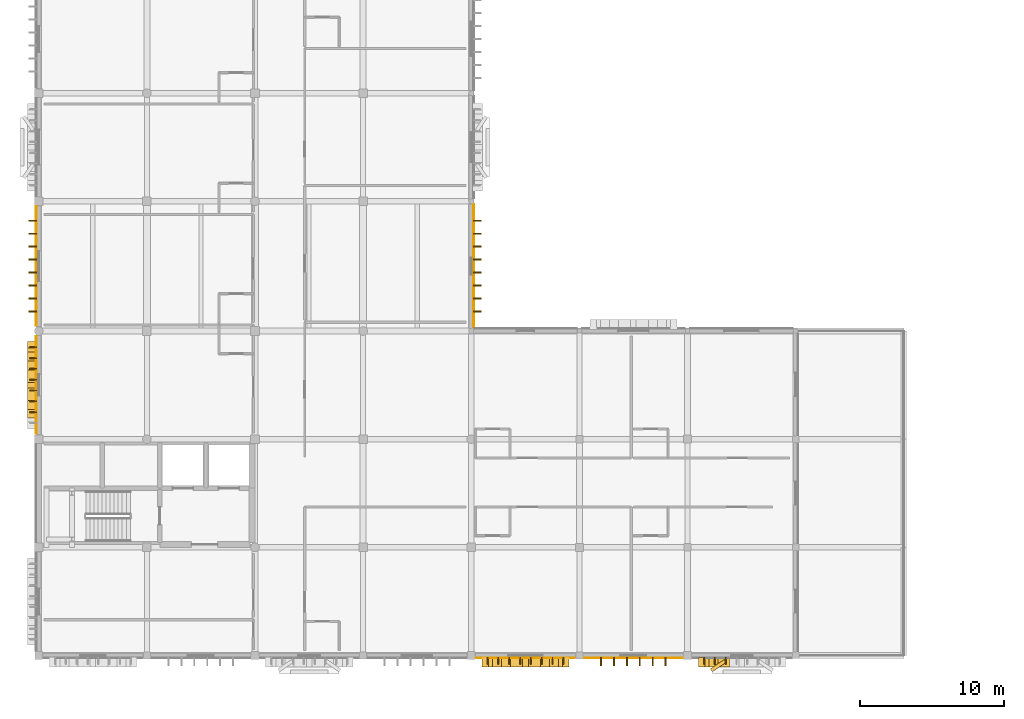
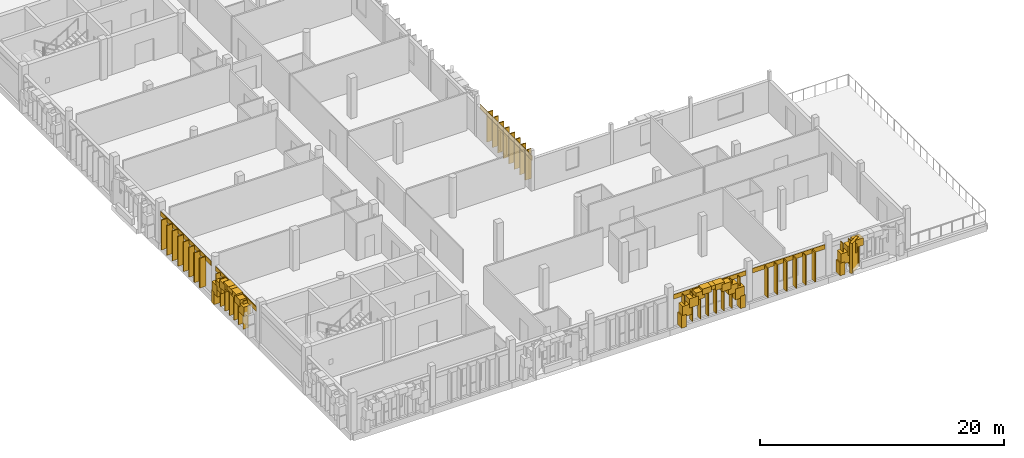
# One storey, part 23 of 33: 52 coverings, 18 shading devices.
"""IFC4 building model written with IfcOpenShell, lengths in metres."""

from ifc_helpers import new_model, si_unit, direction, frame, origin, origin_2d, place, context, subcontext, project, spatial, rectangle, extrude, material, layer, layer_set, type_object, element, save


model = new_model("IFC4")

# Units and contexts
model_context = context("Model", 3, precision=1e-05, world=origin(), true_north=direction((0.0, 1.0)))
body_context = subcontext(model_context, "Body", "Model", "MODEL_VIEW")
ifc_project = project(units=[si_unit("LENGTHUNIT", "METRE"), si_unit("AREAUNIT", "SQUARE_METRE"), si_unit("VOLUMEUNIT", "CUBIC_METRE"), si_unit("PLANEANGLEUNIT", "RADIAN"), si_unit("MASSUNIT", "GRAM", prefix="KILO")], contexts=[model_context])

# Site, building, storey
site_placement = place(None, origin())
site = spatial("IfcSite", under=ifc_project, at=site_placement, CompositionType="ELEMENT")
building_placement = place(site_placement, origin())
building = spatial("IfcBuilding", under=site, at=building_placement, Name="Dalvernix Boulevard General Hospital", CompositionType="ELEMENT")
storey_placement = place(building_placement, frame((0.0, 0.0, 21.89990234375)))
storey = spatial("IfcBuildingStorey", under=building, at=storey_placement, Name="L05", CompositionType="ELEMENT", Elevation=21.89990234375)

# Coverings
ifc_material_1 = material(Name="Pressed Catalan clay brick and dressed limestone parabolic archivolt", Category="masonry")
ifc_layer_1 = layer(ifc_material_1, 0.419921875)
ifc_layer_set_1 = layer_set([ifc_layer_1], Name="Pressed Catalan clay brick and dressed limestone parabolic archivolt (COV-ARC-01)")
covering_type_1 = type_object("IfcCoveringType", Name="COV-ARC-01", PredefinedType="CLADDING", material=ifc_layer_set_1)
covering_1_placement = place(storey_placement, frame((-0.4599609375, 21.550048828125, 0.0), z_axis=(0.0, 0.0, 1.0), x_axis=(0.0, 1.0, 0.0)))
element("IfcCovering", 1, at=covering_1_placement, inside=storey, type_object=covering_type_1, Name="L05 Catalan parabolic arch impost pier W 0-2-R", PredefinedType="CLADDING", context=body_context, shape_type="SweptSolid", body=[
    extrude(rectangle(XDim=0.4599609375, YDim=0.659912109375, at=origin_2d()), origin(), (0.0, 0.0, 1.0), 1.25),
])
covering_2_placement = place(storey_placement, frame((-0.4599609375, 16.88330078125, 1.77099609375), z_axis=(0.0, 0.0, 1.0), x_axis=(0.0, 1.0, 0.0)))
element("IfcCovering", 2, at=covering_2_placement, inside=storey, type_object=covering_type_1, Name="L05 Catalan parabolic archivolt voussoir W 0-2-2", PredefinedType="CLADDING", context=body_context, shape_type="SweptSolid", body=[
    extrude(rectangle(XDim=0.8623046875, YDim=0.659912109375, at=origin_2d()), origin(), (0.0, 0.0, 1.0), 0.913330078125),
])
covering_3_placement = place(storey_placement, frame((-0.4599609375, 17.505615234375, 2.3046875), z_axis=(0.0, 0.0, 1.0), x_axis=(0.0, 1.0, 0.0)))
element("IfcCovering", 3, at=covering_3_placement, inside=storey, type_object=covering_type_1, Name="L05 Catalan parabolic archivolt voussoir W 0-2-3", PredefinedType="CLADDING", context=body_context, shape_type="SweptSolid", body=[
    extrude(rectangle(XDim=0.8623046875, YDim=0.659912109375, at=origin_2d()), origin(), (0.0, 0.0, 1.0), 0.735595703125),
])
covering_4_placement = place(storey_placement, frame((-0.4599609375, 18.127685546875, 2.66015625), z_axis=(0.0, 0.0, 1.0), x_axis=(0.0, 1.0, 0.0)))
element("IfcCovering", 4, at=covering_4_placement, inside=storey, type_object=covering_type_1, Name="L05 Catalan parabolic archivolt voussoir W 0-2-4", PredefinedType="CLADDING", context=body_context, shape_type="SweptSolid", body=[
    extrude(rectangle(XDim=0.8623046875, YDim=0.659912109375, at=origin_2d()), origin(), (0.0, 0.0, 1.0), 0.557861328125),
])
covering_5_placement = place(storey_placement, frame((-0.4599609375, 18.75, 2.837890625), z_axis=(0.0, 0.0, 1.0), x_axis=(0.0, 1.0, 0.0)))
element("IfcCovering", 5, at=covering_5_placement, inside=storey, type_object=covering_type_1, Name="L05 Catalan parabolic archivolt voussoir W 0-2-5", PredefinedType="CLADDING", context=body_context, shape_type="SweptSolid", body=[
    extrude(rectangle(XDim=0.8623046875, YDim=0.659912109375, at=origin_2d()), origin(), (0.0, 0.0, 1.0), 0.3798828125),
])
covering_6_placement = place(storey_placement, frame((-0.4599609375, 19.372314453125, 2.66015625), z_axis=(0.0, 0.0, 1.0), x_axis=(0.0, 1.0, 0.0)))
element("IfcCovering", 6, at=covering_6_placement, inside=storey, type_object=covering_type_1, Name="L05 Catalan parabolic archivolt voussoir W 0-2-6", PredefinedType="CLADDING", context=body_context, shape_type="SweptSolid", body=[
    extrude(rectangle(XDim=0.8623046875, YDim=0.659912109375, at=origin_2d()), origin(), (0.0, 0.0, 1.0), 0.557861328125),
])
covering_7_placement = place(storey_placement, frame((-0.4599609375, 19.994384765625, 2.3046875), z_axis=(0.0, 0.0, 1.0), x_axis=(0.0, 1.0, 0.0)))
element("IfcCovering", 7, at=covering_7_placement, inside=storey, type_object=covering_type_1, Name="L05 Catalan parabolic archivolt voussoir W 0-2-7", PredefinedType="CLADDING", context=body_context, shape_type="SweptSolid", body=[
    extrude(rectangle(XDim=0.8623046875, YDim=0.659912109375, at=origin_2d()), origin(), (0.0, 0.0, 1.0), 0.735595703125),
])
covering_8_placement = place(storey_placement, frame((-0.4599609375, 20.61669921875, 1.77099609375), z_axis=(0.0, 0.0, 1.0), x_axis=(0.0, 1.0, 0.0)))
element("IfcCovering", 8, at=covering_8_placement, inside=storey, type_object=covering_type_1, Name="L05 Catalan parabolic archivolt voussoir W 0-2-8", PredefinedType="CLADDING", context=body_context, shape_type="SweptSolid", body=[
    extrude(rectangle(XDim=0.8623046875, YDim=0.659912109375, at=origin_2d()), origin(), (0.0, 0.0, 1.0), 0.913330078125),
])
covering_9_placement = place(storey_placement, frame((-0.4599609375, 21.239013671875, 1.06005859375), z_axis=(0.0, 0.0, 1.0), x_axis=(0.0, 1.0, 0.0)))
element("IfcCovering", 9, at=covering_9_placement, inside=storey, type_object=covering_type_1, Name="L05 Catalan parabolic archivolt voussoir W 0-2-9", PredefinedType="CLADDING", context=body_context, shape_type="SweptSolid", body=[
    extrude(rectangle(XDim=0.8623046875, YDim=0.659912109375, at=origin_2d()), origin(), (0.0, 0.0, 1.0), 1.091064453125),
])
for number, where, z_axis, x_axis, name in (
    (10, (36.5625, -0.4599609375, 0.0), (0.0, 0.0, 1.0), (-1.0, 0.0, 0.0), "L05 Catalan parabolic arch impost pier S 4-0-L"),
    (11, (30.96240234375, -0.4599609375, 0.0), (0.0, 0.0, 1.0), (-1.0, 0.0, 0.0), "L05 Catalan parabolic arch impost pier S 4-0-R"),
):
    element("IfcCovering", number, at=place(storey_placement, frame(where, z_axis=z_axis, x_axis=x_axis)), inside=storey, type_object=covering_type_1, Name=name, PredefinedType="CLADDING", context=body_context, shape_type="SweptSolid", body=[
        extrude(rectangle(XDim=0.4599609375, YDim=0.659912109375, at=origin_2d()), origin(), (0.0, 0.0, 1.0), 1.25),
    ])
covering_10_placement = place(storey_placement, frame((36.25146484375, -0.4599609375, 1.06005859375), z_axis=(0.0, 0.0, 1.0), x_axis=(-1.0, 0.0, 0.0)))
element("IfcCovering", 12, at=covering_10_placement, inside=storey, type_object=covering_type_1, Name="L05 Catalan parabolic archivolt voussoir S 4-0-1", PredefinedType="CLADDING", context=body_context, shape_type="SweptSolid", body=[
    extrude(rectangle(XDim=0.8623046875, YDim=0.659912109375, at=origin_2d()), origin(), (0.0, 0.0, 1.0), 1.091064453125),
])
covering_11_placement = place(storey_placement, frame((35.629150390625, -0.4599609375, 1.77099609375), z_axis=(0.0, 0.0, 1.0), x_axis=(-1.0, 0.0, 0.0)))
element("IfcCovering", 13, at=covering_11_placement, inside=storey, type_object=covering_type_1, Name="L05 Catalan parabolic archivolt voussoir S 4-0-2", PredefinedType="CLADDING", context=body_context, shape_type="SweptSolid", body=[
    extrude(rectangle(XDim=0.8623046875, YDim=0.659912109375, at=origin_2d()), origin(), (0.0, 0.0, 1.0), 0.913330078125),
])
covering_12_placement = place(storey_placement, frame((35.0068359375, -0.4599609375, 2.3046875), z_axis=(0.0, 0.0, 1.0), x_axis=(-1.0, 0.0, 0.0)))
element("IfcCovering", 14, at=covering_12_placement, inside=storey, type_object=covering_type_1, Name="L05 Catalan parabolic archivolt voussoir S 4-0-3", PredefinedType="CLADDING", context=body_context, shape_type="SweptSolid", body=[
    extrude(rectangle(XDim=0.8623046875, YDim=0.659912109375, at=origin_2d()), origin(), (0.0, 0.0, 1.0), 0.735595703125),
])
covering_13_placement = place(storey_placement, frame((34.384765625, -0.4599609375, 2.66015625), z_axis=(0.0, 0.0, 1.0), x_axis=(-1.0, 0.0, 0.0)))
element("IfcCovering", 15, at=covering_13_placement, inside=storey, type_object=covering_type_1, Name="L05 Catalan parabolic archivolt voussoir S 4-0-4", PredefinedType="CLADDING", context=body_context, shape_type="SweptSolid", body=[
    extrude(rectangle(XDim=0.8623046875, YDim=0.659912109375, at=origin_2d()), origin(), (0.0, 0.0, 1.0), 0.557861328125),
])
covering_14_placement = place(storey_placement, frame((33.762451171875, -0.4599609375, 2.837890625), z_axis=(0.0, 0.0, 1.0), x_axis=(-1.0, 0.0, 0.0)))
element("IfcCovering", 16, at=covering_14_placement, inside=storey, type_object=covering_type_1, Name="L05 Catalan parabolic archivolt voussoir S 4-0-5", PredefinedType="CLADDING", context=body_context, shape_type="SweptSolid", body=[
    extrude(rectangle(XDim=0.8623046875, YDim=0.659912109375, at=origin_2d()), origin(), (0.0, 0.0, 1.0), 0.3798828125),
])
covering_15_placement = place(storey_placement, frame((33.140380859375, -0.4599609375, 2.66015625), z_axis=(0.0, 0.0, 1.0), x_axis=(-1.0, 0.0, 0.0)))
element("IfcCovering", 17, at=covering_15_placement, inside=storey, type_object=covering_type_1, Name="L05 Catalan parabolic archivolt voussoir S 4-0-6", PredefinedType="CLADDING", context=body_context, shape_type="SweptSolid", body=[
    extrude(rectangle(XDim=0.8623046875, YDim=0.659912109375, at=origin_2d()), origin(), (0.0, 0.0, 1.0), 0.557861328125),
])
covering_16_placement = place(storey_placement, frame((32.51806640625, -0.4599609375, 2.3046875), z_axis=(0.0, 0.0, 1.0), x_axis=(-1.0, 0.0, 0.0)))
element("IfcCovering", 18, at=covering_16_placement, inside=storey, type_object=covering_type_1, Name="L05 Catalan parabolic archivolt voussoir S 4-0-7", PredefinedType="CLADDING", context=body_context, shape_type="SweptSolid", body=[
    extrude(rectangle(XDim=0.8623046875, YDim=0.659912109375, at=origin_2d()), origin(), (0.0, 0.0, 1.0), 0.735595703125),
])
covering_17_placement = place(storey_placement, frame((31.895751953125, -0.4599609375, 1.77099609375), z_axis=(0.0, 0.0, 1.0), x_axis=(-1.0, 0.0, 0.0)))
element("IfcCovering", 19, at=covering_17_placement, inside=storey, type_object=covering_type_1, Name="L05 Catalan parabolic archivolt voussoir S 4-0-8", PredefinedType="CLADDING", context=body_context, shape_type="SweptSolid", body=[
    extrude(rectangle(XDim=0.8623046875, YDim=0.659912109375, at=origin_2d()), origin(), (0.0, 0.0, 1.0), 0.913330078125),
])
covering_18_placement = place(storey_placement, frame((31.273681640625, -0.4599609375, 1.06005859375), z_axis=(0.0, 0.0, 1.0), x_axis=(-1.0, 0.0, 0.0)))
element("IfcCovering", 20, at=covering_18_placement, inside=storey, type_object=covering_type_1, Name="L05 Catalan parabolic archivolt voussoir S 4-0-9", PredefinedType="CLADDING", context=body_context, shape_type="SweptSolid", body=[
    extrude(rectangle(XDim=0.8623046875, YDim=0.659912109375, at=origin_2d()), origin(), (0.0, 0.0, 1.0), 1.091064453125),
])
covering_19_placement = place(storey_placement, frame((45.97509765625, -0.4599609375, 0.0), z_axis=(0.0, 0.0, 1.0), x_axis=(-1.0, 0.0, 0.0)))
element("IfcCovering", 21, at=covering_19_placement, inside=storey, type_object=covering_type_1, Name="L05 Catalan parabolic arch impost pier S 6-0-R", PredefinedType="CLADDING", context=body_context, shape_type="SweptSolid", body=[
    extrude(rectangle(XDim=0.4599609375, YDim=0.659912109375, at=origin_2d()), origin(), (0.0, 0.0, 1.0), 1.25),
])
covering_20_placement = place(storey_placement, frame((47.530517578125, -0.4599609375, 2.3046875), z_axis=(0.0, 0.0, 1.0), x_axis=(-1.0, 0.0, 0.0)))
element("IfcCovering", 22, at=covering_20_placement, inside=storey, type_object=covering_type_1, Name="L05 Catalan parabolic archivolt voussoir S 6-0-7", PredefinedType="CLADDING", context=body_context, shape_type="SweptSolid", body=[
    extrude(rectangle(XDim=0.8623046875, YDim=0.659912109375, at=origin_2d()), origin(), (0.0, 0.0, 1.0), 0.735595703125),
])
covering_21_placement = place(storey_placement, frame((46.908203125, -0.4599609375, 1.77099609375), z_axis=(0.0, 0.0, 1.0), x_axis=(-1.0, 0.0, 0.0)))
element("IfcCovering", 23, at=covering_21_placement, inside=storey, type_object=covering_type_1, Name="L05 Catalan parabolic archivolt voussoir S 6-0-8", PredefinedType="CLADDING", context=body_context, shape_type="SweptSolid", body=[
    extrude(rectangle(XDim=0.8623046875, YDim=0.659912109375, at=origin_2d()), origin(), (0.0, 0.0, 1.0), 0.913330078125),
])
covering_22_placement = place(storey_placement, frame((46.2861328125, -0.4599609375, 1.06005859375), z_axis=(0.0, 0.0, 1.0), x_axis=(-1.0, 0.0, 0.0)))
element("IfcCovering", 24, at=covering_22_placement, inside=storey, type_object=covering_type_1, Name="L05 Catalan parabolic archivolt voussoir S 6-0-9", PredefinedType="CLADDING", context=body_context, shape_type="SweptSolid", body=[
    extrude(rectangle(XDim=0.8623046875, YDim=0.659912109375, at=origin_2d()), origin(), (0.0, 0.0, 1.0), 1.091064453125),
])
ifc_material_2 = material(Name="Polychrome glazed Catalan trencadis ceramic faceted bay spandrel")
ifc_layer_2 = layer(ifc_material_2, 0.280029296875)
ifc_layer_set_2 = layer_set([ifc_layer_2], Name="Polychrome glazed Catalan trencadis ceramic faceted bay spandrel (COV-BAY-01)")
covering_type_2 = type_object("IfcCoveringType", Name="COV-BAY-01", PredefinedType="CLADDING", material=ifc_layer_set_2)
covering_23_placement = place(storey_placement, frame((47.125, -0.7099609375, 0.080078125), z_axis=(0.0, 0.0, 1.0), x_axis=(-0.829037572555, -0.559192903471, 0.0)))
element("IfcCovering", 25, at=covering_23_placement, inside=storey, type_object=covering_type_2, Name="L05 projecting faceted Catalan bay cheek S 6-0-R", PredefinedType="CLADDING", context=body_context, shape_type="SweptSolid", body=[
    extrude(rectangle(XDim=1.14990234375, YDim=0.239990234375, at=origin_2d()), origin(), (0.0, 0.0, 1.0), 3.010009765625),
])
ifc_material_3 = material(Name="Polychrome Catalan glazed ceramic spandrel tile panel")
ifc_layer_3 = layer(ifc_material_3, 0.044921875)
ifc_layer_set_3 = layer_set([ifc_layer_3], Name="Polychrome Catalan glazed ceramic spandrel tile panel (COV-CLD-01)")
covering_type_3 = type_object("IfcCoveringType", Name="COV-CLD-01", PredefinedType="CLADDING", material=ifc_layer_set_3)
covering_24_placement = place(storey_placement, frame((-0.169921875, 18.75, 2.6953125), z_axis=(0.0, 0.0, 1.0), x_axis=(0.0, 1.0, 0.0)))
element("IfcCovering", 26, at=covering_24_placement, inside=storey, type_object=covering_type_3, Name="L05 polychrome ceramic spandrel W 0-2", PredefinedType="CLADDING", context=body_context, shape_type="SweptSolid", body=[
    extrude(rectangle(XDim=6.780029296875, YDim=0.044921875, at=origin_2d()), origin(), (0.0, 0.0, 1.0), 0.449951171875),
])
covering_25_placement = place(storey_placement, frame((-0.169921875, 27.0, 2.7451171875), z_axis=(0.0, 0.0, 1.0), x_axis=(0.0, 1.0, 0.0)))
element("IfcCovering", 27, at=covering_25_placement, inside=storey, type_object=covering_type_3, Name="L05 polychrome ceramic spandrel W 0-3", PredefinedType="CLADDING", context=body_context, shape_type="SweptSolid", body=[
    extrude(rectangle(XDim=8.280029296875, YDim=0.044921875, at=origin_2d()), origin(), (0.0, 0.0, 1.0), 0.449951171875),
])
covering_26_placement = place(storey_placement, frame((30.169921875, 27.0, 2.7451171875), z_axis=(0.0, 0.0, 1.0), x_axis=(0.0, -1.0, 0.0)))
element("IfcCovering", 28, at=covering_26_placement, inside=storey, type_object=covering_type_3, Name="L05 polychrome ceramic spandrel E 4-3", PredefinedType="CLADDING", context=body_context, shape_type="SweptSolid", body=[
    extrude(rectangle(XDim=8.56005859375, YDim=0.044921875, at=origin_2d()), origin(), (0.0, 0.0, 1.0), 0.449951171875),
])
for number, where, z_axis, x_axis, name in (
    (29, (33.762451171875, -0.169921875, 2.6953125), (0.0, 0.0, 1.0), (-1.0, 0.0, 0.0), "L05 polychrome ceramic spandrel S 4-0"),
    (30, (41.237548828125, -0.169921875, 2.6953125), (0.0, 0.0, 1.0), (-1.0, 0.0, 0.0), "L05 polychrome ceramic spandrel S 5-0"),
):
    element("IfcCovering", number, at=place(storey_placement, frame(where, z_axis=z_axis, x_axis=x_axis)), inside=storey, type_object=covering_type_3, Name=name, PredefinedType="CLADDING", context=body_context, shape_type="SweptSolid", body=[
        extrude(rectangle(XDim=6.85498046875, YDim=0.044921875, at=origin_2d()), origin(), (0.0, 0.0, 1.0), 0.449951171875),
    ])
ifc_material_4 = material(Name="Terracotta-clad iroko timber brise-soleil sun-breaker fin", Category="masonry")
ifc_layer_4 = layer(ifc_material_4, 0.10009765625)
ifc_layer_set_4 = layer_set([ifc_layer_4], Name="Terracotta-clad iroko timber brise-soleil sun-breaker fin (COV-FIN-02)")
covering_type_4 = type_object("IfcCoveringType", Name="COV-FIN-02", PredefinedType="CLADDING", material=ifc_layer_set_4)
for number, where, z_axis, x_axis, name in (
    (31, (-0.419921875, 23.85009765625, 0.1201171875), (0.0, 0.0, 1.0), (0.0, 1.0, 0.0), "L05 terracotta brise-soleil fin W 0-3-1"),
    (32, (-0.419921875, 24.75, 0.1201171875), (0.0, 0.0, 1.0), (0.0, 1.0, 0.0), "L05 terracotta brise-soleil fin W 0-3-2"),
    (33, (-0.419921875, 25.64990234375, 0.1201171875), (0.0, 0.0, 1.0), (0.0, 1.0, 0.0), "L05 terracotta brise-soleil fin W 0-3-3"),
    (34, (-0.419921875, 26.550048828125, 0.1201171875), (0.0, 0.0, 1.0), (0.0, 1.0, 0.0), "L05 terracotta brise-soleil fin W 0-3-4"),
    (35, (-0.419921875, 27.449951171875, 0.1201171875), (0.0, 0.0, 1.0), (0.0, 1.0, 0.0), "L05 terracotta brise-soleil fin W 0-3-5"),
    (36, (-0.419921875, 28.35009765625, 0.1201171875), (0.0, 0.0, 1.0), (0.0, 1.0, 0.0), "L05 terracotta brise-soleil fin W 0-3-6"),
    (37, (-0.419921875, 29.25, 0.1201171875), (0.0, 0.0, 1.0), (0.0, 1.0, 0.0), "L05 terracotta brise-soleil fin W 0-3-7"),
    (38, (-0.419921875, 30.14990234375, 0.1201171875), (0.0, 0.0, 1.0), (0.0, 1.0, 0.0), "L05 terracotta brise-soleil fin W 0-3-8"),
    (39, (30.419921875, 30.14990234375, 0.1201171875), (0.0, 0.0, 1.0), (0.0, -1.0, 0.0), "L05 terracotta brise-soleil fin E 4-3-1"),
    (40, (30.419921875, 29.25, 0.1201171875), (0.0, 0.0, 1.0), (0.0, -1.0, 0.0), "L05 terracotta brise-soleil fin E 4-3-2"),
    (41, (30.419921875, 28.35009765625, 0.1201171875), (0.0, 0.0, 1.0), (0.0, -1.0, 0.0), "L05 terracotta brise-soleil fin E 4-3-3"),
    (42, (30.419921875, 27.449951171875, 0.1201171875), (0.0, 0.0, 1.0), (0.0, -1.0, 0.0), "L05 terracotta brise-soleil fin E 4-3-4"),
    (43, (30.419921875, 26.550048828125, 0.1201171875), (0.0, 0.0, 1.0), (0.0, -1.0, 0.0), "L05 terracotta brise-soleil fin E 4-3-5"),
    (44, (30.419921875, 25.64990234375, 0.1201171875), (0.0, 0.0, 1.0), (0.0, -1.0, 0.0), "L05 terracotta brise-soleil fin E 4-3-6"),
    (45, (30.419921875, 24.75, 0.1201171875), (0.0, 0.0, 1.0), (0.0, -1.0, 0.0), "L05 terracotta brise-soleil fin E 4-3-7"),
    (46, (30.419921875, 23.85009765625, 0.1201171875), (0.0, 0.0, 1.0), (0.0, -1.0, 0.0), "L05 terracotta brise-soleil fin E 4-3-8"),
):
    element("IfcCovering", number, at=place(storey_placement, frame(where, z_axis=z_axis, x_axis=x_axis)), inside=storey, type_object=covering_type_4, Name=name, PredefinedType="CLADDING", context=body_context, shape_type="SweptSolid", body=[
        extrude(rectangle(XDim=0.10009765625, YDim=0.580078125, at=origin_2d()), origin(), (0.0, 0.0, 1.0), 2.97998046875),
    ])
for number, where, z_axis, x_axis, name in (
    (47, (43.487548828125, -0.419921875, 0.1201171875), (0.0, 0.0, 1.0), (-1.0, 0.0, 0.0), "L05 terracotta brise-soleil fin S 5-0-1"),
    (48, (42.58740234375, -0.419921875, 0.1201171875), (0.0, 0.0, 1.0), (-1.0, 0.0, 0.0), "L05 terracotta brise-soleil fin S 5-0-2"),
    (49, (41.6875, -0.419921875, 0.1201171875), (0.0, 0.0, 1.0), (-1.0, 0.0, 0.0), "L05 terracotta brise-soleil fin S 5-0-3"),
    (50, (40.78759765625, -0.419921875, 0.1201171875), (0.0, 0.0, 1.0), (-1.0, 0.0, 0.0), "L05 terracotta brise-soleil fin S 5-0-4"),
    (51, (39.887451171875, -0.419921875, 0.1201171875), (0.0, 0.0, 1.0), (-1.0, 0.0, 0.0), "L05 terracotta brise-soleil fin S 5-0-5"),
    (52, (38.987548828125, -0.419921875, 0.1201171875), (0.0, 0.0, 1.0), (-1.0, 0.0, 0.0), "L05 terracotta brise-soleil fin S 5-0-6"),
):
    element("IfcCovering", number, at=place(storey_placement, frame(where, z_axis=z_axis, x_axis=x_axis)), inside=storey, type_object=covering_type_4, Name=name, PredefinedType="CLADDING", context=body_context, shape_type="SweptSolid", body=[
        extrude(rectangle(XDim=0.10009765625, YDim=0.580078125, at=origin_2d()), origin(), (0.0, 0.0, 1.0), 2.929931640625),
    ])

# Shading devices
ifc_material_5 = material(Name="Preservative-treated West African iroko timber", Category="wood")
shading_device_type = type_object("IfcShadingDeviceType", Name="SHD-FIN-01", PredefinedType="USERDEFINED", material=ifc_material_5)
for number, where, z_axis, x_axis, name in (
    (53, (-0.3798828125, 16.875, 0.17529296875), (0.0, 0.0, 1.0), (0.0, 1.0, 0.0), "L05 iroko brise-soleil fin 2"),
    (54, (-0.3798828125, 17.625, 0.17529296875), (0.0, 0.0, 1.0), (0.0, 1.0, 0.0), "L05 iroko brise-soleil fin 3"),
    (55, (-0.3798828125, 18.375, 0.17529296875), (0.0, 0.0, 1.0), (0.0, 1.0, 0.0), "L05 iroko brise-soleil fin 4"),
    (56, (-0.3798828125, 19.125, 0.17529296875), (0.0, 0.0, 1.0), (0.0, 1.0, 0.0), "L05 iroko brise-soleil fin 5"),
    (57, (-0.3798828125, 19.875, 0.17529296875), (0.0, 0.0, 1.0), (0.0, 1.0, 0.0), "L05 iroko brise-soleil fin 6"),
    (58, (-0.3798828125, 20.625, 0.17529296875), (0.0, 0.0, 1.0), (0.0, 1.0, 0.0), "L05 iroko brise-soleil fin 7"),
    (59, (-0.3798828125, 21.375, 0.17529296875), (0.0, 0.0, 1.0), (0.0, 1.0, 0.0), "L05 iroko brise-soleil fin 8"),
    (60, (36.387451171875, -0.3798828125, 0.17529296875), (0.0, 0.0, 1.0), (-1.0, 0.0, 0.0), "L05 iroko brise-soleil fin 1"),
    (61, (35.637451171875, -0.3798828125, 0.17529296875), (0.0, 0.0, 1.0), (-1.0, 0.0, 0.0), "L05 iroko brise-soleil fin 2"),
    (62, (34.887451171875, -0.3798828125, 0.17529296875), (0.0, 0.0, 1.0), (-1.0, 0.0, 0.0), "L05 iroko brise-soleil fin 3"),
    (63, (34.137451171875, -0.3798828125, 0.17529296875), (0.0, 0.0, 1.0), (-1.0, 0.0, 0.0), "L05 iroko brise-soleil fin 4"),
    (64, (33.387451171875, -0.3798828125, 0.17529296875), (0.0, 0.0, 1.0), (-1.0, 0.0, 0.0), "L05 iroko brise-soleil fin 5"),
    (65, (32.637451171875, -0.3798828125, 0.17529296875), (0.0, 0.0, 1.0), (-1.0, 0.0, 0.0), "L05 iroko brise-soleil fin 6"),
    (66, (31.887451171875, -0.3798828125, 0.17529296875), (0.0, 0.0, 1.0), (-1.0, 0.0, 0.0), "L05 iroko brise-soleil fin 7"),
    (67, (31.137451171875, -0.3798828125, 0.17529296875), (0.0, 0.0, 1.0), (-1.0, 0.0, 0.0), "L05 iroko brise-soleil fin 8"),
    (68, (47.64990234375, -0.3798828125, 0.17529296875), (0.0, 0.0, 1.0), (-1.0, 0.0, 0.0), "L05 iroko brise-soleil fin 6"),
    (69, (46.89990234375, -0.3798828125, 0.17529296875), (0.0, 0.0, 1.0), (-1.0, 0.0, 0.0), "L05 iroko brise-soleil fin 7"),
    (70, (46.14990234375, -0.3798828125, 0.17529296875), (0.0, 0.0, 1.0), (-1.0, 0.0, 0.0), "L05 iroko brise-soleil fin 8"),
):
    element("IfcShadingDevice", number, at=place(storey_placement, frame(where, z_axis=z_axis, x_axis=x_axis)), inside=storey, type_object=shading_device_type, Name=name, ObjectType="FIN", PredefinedType="USERDEFINED", context=body_context, shape_type="SweptSolid", body=[
        extrude(rectangle(XDim=0.06494140625, YDim=0.47998046875, at=origin_2d()), origin(), (0.0, 0.0, 1.0), 2.820068359375),
    ])

save(model, "model.ifc")
